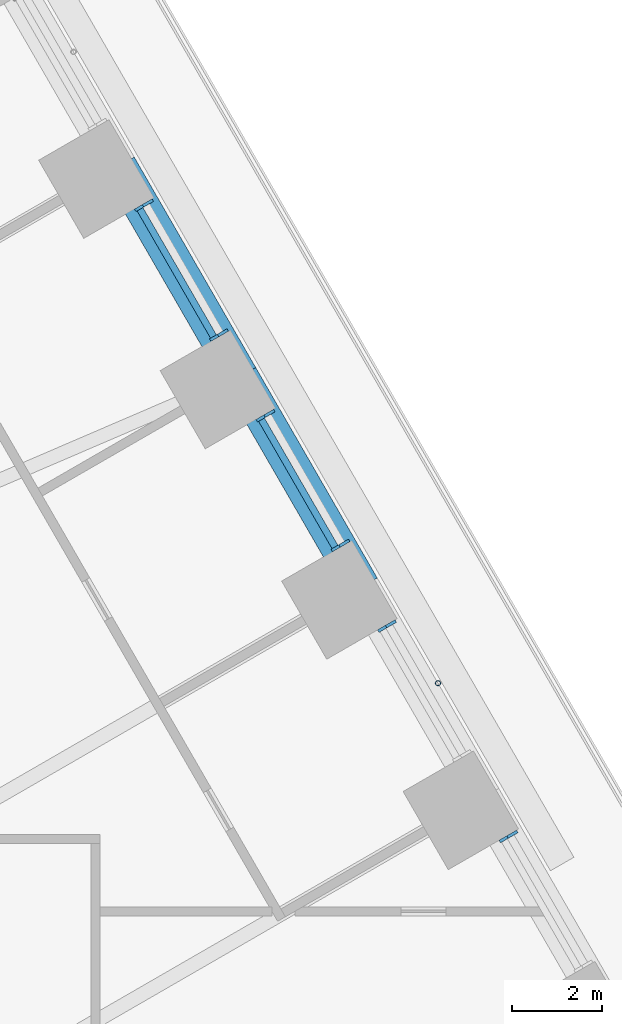
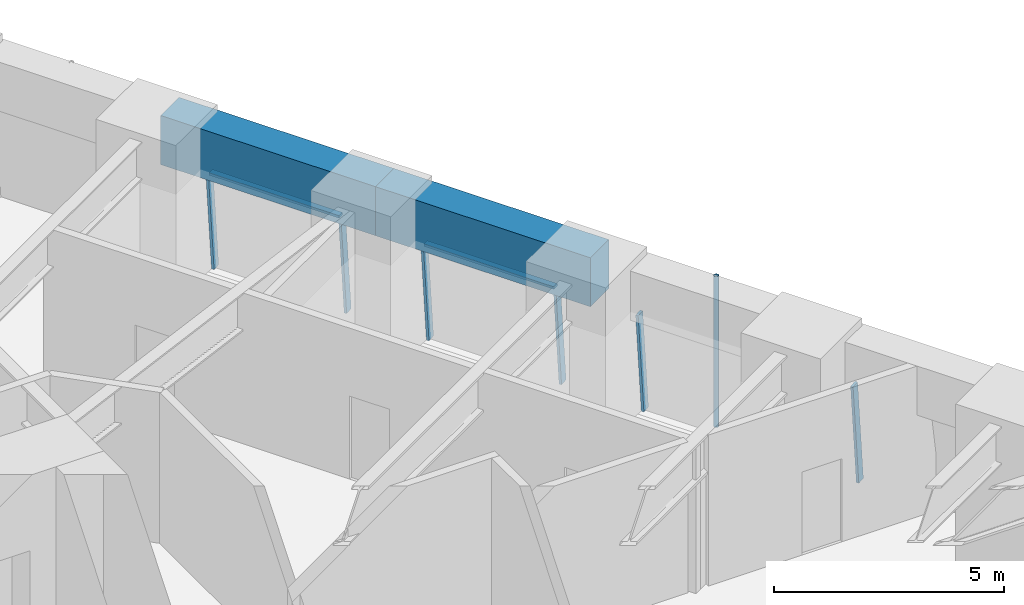
# One storey, part 13 of 23: 9 members, 2 beams, 4 elements without a shape of their own.
"""IFC4 building model written with IfcOpenShell, lengths in metres."""

from ifc_helpers import new_model, si_unit, direction, frame, origin, origin_2d, place, context, subcontext, project, spatial, rectangle, hollow_circle, extrude, material, material_profile, profile_set, type_object, element, aggregate, save


model = new_model("IFC4")

# Units and contexts
model_context = context("Model", 3, precision=1e-05, world=origin(), true_north=direction((0.0, 1.0)))
body_context = subcontext(model_context, "Body", "Model", "MODEL_VIEW")
ifc_project = project(units=[si_unit("LENGTHUNIT", "METRE"), si_unit("AREAUNIT", "SQUARE_METRE"), si_unit("VOLUMEUNIT", "CUBIC_METRE"), si_unit("PLANEANGLEUNIT", "RADIAN"), si_unit("MASSUNIT", "GRAM", prefix="KILO")], contexts=[model_context])

# Site, building, storey
site_placement = place(None, origin())
site = spatial("IfcSite", under=ifc_project, at=site_placement, CompositionType="ELEMENT")
building_placement = place(site_placement, origin())
building = spatial("IfcBuilding", under=site, at=building_placement, Name="Tarfa Lantern Tower", CompositionType="ELEMENT")
storey_placement = place(building_placement, frame((0.0, 0.0, 48.699951171875)))
storey = spatial("IfcBuildingStorey", under=building, at=storey_placement, Name="L10", CompositionType="ELEMENT", Elevation=48.699951171875)

# Curtain wall, member
ifc_material_1 = material(Name="Aluminium framed curtain wall", Category="aluminium")
curtain_wall_type = type_object("IfcCurtainWallType", Name="CW1 CANTED GLAZING LOW ZONE 2700", PredefinedType="USERDEFINED", material=ifc_material_1)
curtain_wall_1_placement = place(storey_placement, origin())
curtain_wall_1 = element("IfcCurtainWall", 1, at=curtain_wall_1_placement, inside=storey, type_object=curtain_wall_type, Name="CW1 NE L10", ObjectType="CURTAIN WALL", PredefinedType="USERDEFINED")
ifc_material_2 = material(Name="Aluminium mullion", Category="aluminium")
ifc_material_profile_1 = material_profile(ifc_material_2, rectangle(XDim=0.06494140625, YDim=0.199951171875, at=origin_2d()), Name="AL MULLION 65x200")
ifc_profile_set_1 = profile_set([ifc_material_profile_1], Name="Aluminium mullion")
member_type_1 = type_object("IfcMemberType", Name="CWM1 MULLION 65x200", PredefinedType="MULLION", material=ifc_profile_set_1)
member_1_placement = place(storey_placement, frame((35.26318359375, 6.722412109375, 0.0), z_axis=(-0.07986442134, -0.046099868913, 0.99573916077), x_axis=(0.499919672301, -0.866071776036, 0.0)))
member_1 = element("IfcMember", 2, at=member_1_placement, type_object=member_type_1, Name="CW1 mullion 2", PredefinedType="MULLION", context=body_context, shape_type="SweptSolid", body=[
    extrude(rectangle(XDim=0.06494140625, YDim=0.199951171875, at=origin_2d()), origin(), (0.0, 0.0, 1.0), 2.71142578125),
])
aggregate(curtain_wall_1, [member_1])

curtain_wall_2_placement = place(storey_placement, origin())
curtain_wall_2 = element("IfcCurtainWall", 3, at=curtain_wall_2_placement, inside=storey, type_object=curtain_wall_type, Name="CW1 NE L10", ObjectType="CURTAIN WALL", PredefinedType="USERDEFINED")
member_2_placement = place(storey_placement, frame((32.56884765625, 11.38916015625, 0.0), z_axis=(-0.07986442134, -0.046099868913, 0.99573916077), x_axis=(0.499919672301, -0.866071776036, 0.0)))
member_2 = element("IfcMember", 4, at=member_2_placement, type_object=member_type_1, Name="CW1 mullion 2", PredefinedType="MULLION", context=body_context, shape_type="SweptSolid", body=[
    extrude(rectangle(XDim=0.06494140625, YDim=0.199951171875, at=origin_2d()), origin(), (0.0, 0.0, 1.0), 2.71142578125),
])
aggregate(curtain_wall_2, [member_2])

# Curtain wall, members
curtain_wall_3_placement = place(storey_placement, origin())
curtain_wall_3 = element("IfcCurtainWall", 5, at=curtain_wall_3_placement, inside=storey, type_object=curtain_wall_type, Name="CW1 NE L10", ObjectType="CURTAIN WALL", PredefinedType="USERDEFINED")
member_3_placement = place(storey_placement, frame((31.536376953125, 13.177490234375, 0.0), z_axis=(-0.07986442134, -0.046099868913, 0.99573916077), x_axis=(0.499919672301, -0.866071776036, 0.0)))
member_3 = element("IfcMember", 6, at=member_3_placement, type_object=member_type_1, Name="CW1 mullion 1", PredefinedType="MULLION", context=body_context, shape_type="SweptSolid", body=[
    extrude(rectangle(XDim=0.06494140625, YDim=0.199951171875, at=origin_2d()), origin(), (0.0, 0.0, 1.0), 2.71142578125),
])
member_4_placement = place(storey_placement, frame((29.87451171875, 16.055908203125, 0.0), z_axis=(-0.07986442134, -0.046099868913, 0.99573916077), x_axis=(0.499919672301, -0.866071776036, 0.0)))
member_4 = element("IfcMember", 7, at=member_4_placement, type_object=member_type_1, Name="CW1 mullion 2", PredefinedType="MULLION", context=body_context, shape_type="SweptSolid", body=[
    extrude(rectangle(XDim=0.06494140625, YDim=0.199951171875, at=origin_2d()), origin(), (0.0, 0.0, 1.0), 2.71142578125),
])

curtain_wall_4_placement = place(storey_placement, origin())
curtain_wall_4 = element("IfcCurtainWall", 8, at=curtain_wall_4_placement, inside=storey, type_object=curtain_wall_type, Name="CW1 NE L10", ObjectType="CURTAIN WALL", PredefinedType="USERDEFINED")
member_5_placement = place(storey_placement, frame((28.842041015625, 17.84423828125, 0.0), z_axis=(-0.07986442134, -0.046099868913, 0.99573916077), x_axis=(0.499919672301, -0.866071776036, 0.0)))
member_5 = element("IfcMember", 9, at=member_5_placement, type_object=member_type_1, Name="CW1 mullion 1", PredefinedType="MULLION", context=body_context, shape_type="SweptSolid", body=[
    extrude(rectangle(XDim=0.06494140625, YDim=0.199951171875, at=origin_2d()), origin(), (0.0, 0.0, 1.0), 2.71142578125),
])
member_6_placement = place(storey_placement, frame((27.18017578125, 20.722412109375, 0.0), z_axis=(-0.07986442134, -0.046099868913, 0.99573916077), x_axis=(0.499919672301, -0.866071776036, 0.0)))
member_6 = element("IfcMember", 10, at=member_6_placement, type_object=member_type_1, Name="CW1 mullion 2", PredefinedType="MULLION", context=body_context, shape_type="SweptSolid", body=[
    extrude(rectangle(XDim=0.06494140625, YDim=0.199951171875, at=origin_2d()), origin(), (0.0, 0.0, 1.0), 2.71142578125),
])

# Member
ifc_material_3 = material(Name="Aluminium transom", Category="aluminium")
ifc_material_profile_2 = material_profile(ifc_material_3, rectangle(XDim=0.14990234375, YDim=0.06494140625, at=origin_2d()), Name="AL TRANSOM 150x65")
ifc_profile_set_2 = profile_set([ifc_material_profile_2], Name="Aluminium transom")
member_type_2 = type_object("IfcMemberType", Name="CWT1 TRANSOM 150x65", PredefinedType="USERDEFINED", material=ifc_profile_set_2)
member_7_placement = place(storey_placement, frame((31.30615234375, 13.082275390625, 2.66748046875), z_axis=(-0.500022939057, 0.866012159509, 0.0), x_axis=(-0.866012159509, -0.500022939057, 0.0)))
member_7 = element("IfcMember", 11, at=member_7_placement, type_object=member_type_2, Name="CW1 transom 1.2", ObjectType="TRANSOM", PredefinedType="USERDEFINED", context=body_context, shape_type="SweptSolid", body=[
    extrude(rectangle(XDim=0.14990234375, YDim=0.06494140625, at=origin_2d()), origin(), (0.0, 0.0, 1.0), 3.258544921875),
])

aggregate(curtain_wall_3, [member_3, member_4, member_7])

member_8_placement = place(storey_placement, frame((28.61181640625, 17.748779296875, 2.66748046875), z_axis=(-0.499966746847, 0.86604460165, 0.0), x_axis=(-0.86604460165, -0.499966746847, 0.0)))
member_8 = element("IfcMember", 12, at=member_8_placement, type_object=member_type_2, Name="CW1 transom 1.2", ObjectType="TRANSOM", PredefinedType="USERDEFINED", context=body_context, shape_type="SweptSolid", body=[
    extrude(rectangle(XDim=0.14990234375, YDim=0.06494140625, at=origin_2d()), origin(), (0.0, 0.0, 1.0), 3.258544921875),
])

aggregate(curtain_wall_4, [member_5, member_6, member_8])

# Beams
ifc_material_4 = material(Name="Concrete C80/95", Category="concrete")
ifc_material_profile_3 = material_profile(ifc_material_4, rectangle(XDim=0.800048828125, YDim=1.300048828125, at=origin_2d()), Name="RC 800x1300")
ifc_profile_set_3 = profile_set([ifc_material_profile_3], Name="Concrete C80/95")
beam_type = type_object("IfcBeamType", Name="EB1 RC 800x1300", PredefinedType="SPANDREL", material=ifc_profile_set_3)
beam_1_placement = place(storey_placement, frame((31.896728515625, 12.193359375, 3.35009765625), z_axis=(-0.499998287579, 0.866026392449, 0.0), x_axis=(-0.866026392449, -0.499998287579, 0.0)))
element("IfcBeam", 13, at=beam_1_placement, inside=storey, type_object=beam_type, Name="Edge beam NE2", PredefinedType="SPANDREL", context=body_context, shape_type="SweptSolid", body=[
    extrude(rectangle(XDim=0.800048828125, YDim=1.300048828125, at=origin_2d()), origin(), (0.0, 0.0, 1.0), 5.388671875),
])
beam_2_placement = place(storey_placement, frame((29.202392578125, 16.860107421875, 3.35009765625), z_axis=(-0.500017906299, 0.866015065331, 0.0), x_axis=(-0.866015065331, -0.500017906299, 0.0)))
element("IfcBeam", 14, at=beam_2_placement, inside=storey, type_object=beam_type, Name="Edge beam NE3", PredefinedType="SPANDREL", context=body_context, shape_type="SweptSolid", body=[
    extrude(rectangle(XDim=0.800048828125, YDim=1.300048828125, at=origin_2d()), origin(), (0.0, 0.0, 1.0), 5.388427734375),
])

# Member
ifc_material_5 = material(Name="Steel S355", Category="steel")
ifc_material_profile_4 = material_profile(ifc_material_5, hollow_circle(Radius=0.05712890625, WallThickness=0.00634765625, at=origin_2d()), Name="CHS114.3x6.3")
ifc_profile_set_4 = profile_set([ifc_material_profile_4], Name="Steel S355")
member_type_3 = type_object("IfcMemberType", Name="TR1 GREEN WALL TRELLIS CHS114.3x6.3", PredefinedType="USERDEFINED", material=ifc_profile_set_4)
member_9_placement = place(storey_placement, frame((33.59033203125, 10.06005859375, 0.0), z_axis=(0.0, 0.0, 1.0), x_axis=(1.0, 0.0, 0.0)))
element("IfcMember", 15, at=member_9_placement, inside=storey, type_object=member_type_3, Name="Trellis post NE 1", ObjectType="TRELLIS", PredefinedType="USERDEFINED", context=body_context, shape_type="SweptSolid", body=[
    extrude(hollow_circle(Radius=0.05712890625, WallThickness=0.00634765625, at=origin_2d()), origin(), (0.0, 0.0, 1.0), 4.0),
])

save(model, "model.ifc")
